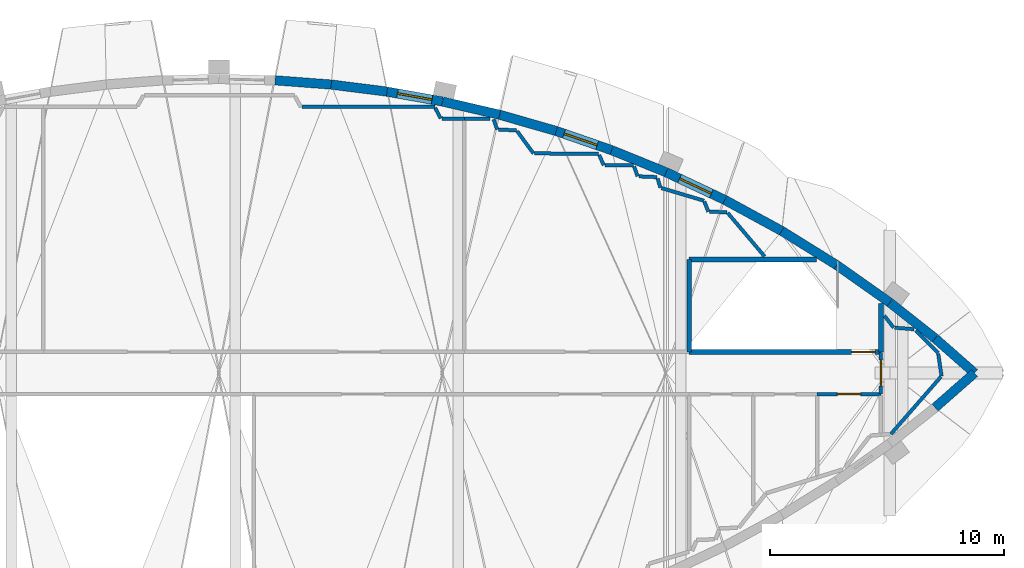
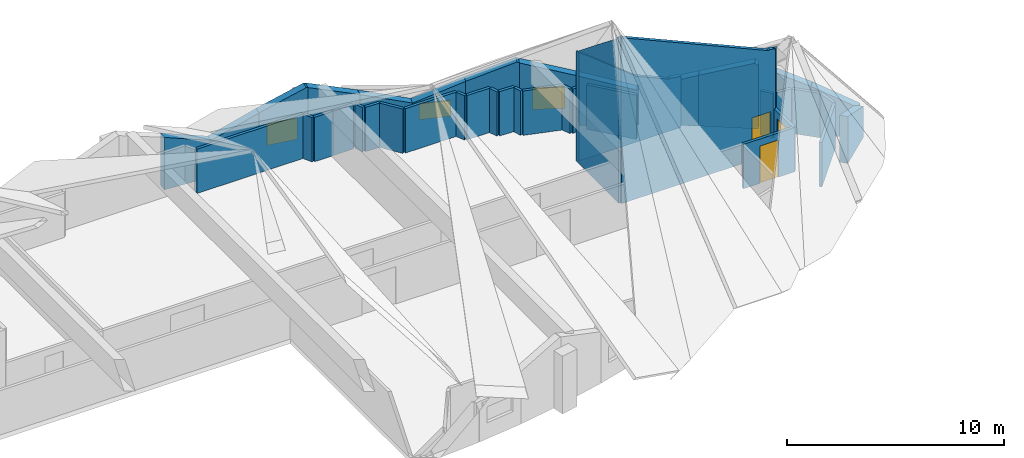
# One storey, part 48 of 56: 42 walls, 3 doors, 3 windows, 6 openings.
"""IFC4 building model written with IfcOpenShell, lengths in metres."""

from ifc_helpers import new_model, si_unit, direction, frame, frame_2d, origin, place, context, subcontext, project, spatial, polyline, rectangle, outline, extrude, material, layer, layer_set, type_object, element, fill, save


model = new_model("IFC4")

# Units and contexts
model_context = context("Model", 3, precision=1e-05, world=origin(), true_north=direction((0.0, 1.0)))
body_context = subcontext(model_context, "Body", "Model", "MODEL_VIEW")
ifc_project = project(units=[si_unit("LENGTHUNIT", "METRE"), si_unit("AREAUNIT", "SQUARE_METRE"), si_unit("VOLUMEUNIT", "CUBIC_METRE"), si_unit("PLANEANGLEUNIT", "RADIAN"), si_unit("MASSUNIT", "GRAM", prefix="KILO")], contexts=[model_context])

# Site, building, storey
site_placement = place(None, origin())
site = spatial("IfcSite", under=ifc_project, at=site_placement, CompositionType="ELEMENT")
building_placement = place(site_placement, origin())
building = spatial("IfcBuilding", under=site, at=building_placement, Name="Tide Square Theatres", CompositionType="ELEMENT")
storey_placement = place(building_placement, frame((0.0, 0.0, 10.199951171875)))
storey = spatial("IfcBuildingStorey", under=building, at=storey_placement, Name="L02", CompositionType="ELEMENT", Elevation=10.199951171875)

# Walls
ifc_material_1 = material(Name="Gypsum board on steel studs", Category="steel")
ifc_layer_1 = layer(ifc_material_1, 0.14990234375)
ifc_layer_set_1 = layer_set([ifc_layer_1], Name="Gypsum board on steel studs")
wall_type_1 = type_object("IfcWallType", Name="Partition 150 thick", PredefinedType="PARTITIONING", material=ifc_layer_set_1)
wall_1_placement = place(storey_placement, frame((133.55908203125, 109.172607421875, 0.0), z_axis=(0.0, 0.0, 1.0), x_axis=(0.999999976836, -0.00021523891, 0.0)))
element("IfcWall", 1, at=wall_1_placement, inside=storey, type_object=wall_type_1, Name="Rehearsal Block partition", PredefinedType="PARTITIONING", context=body_context, shape_type="SweptSolid", body=[
    extrude(rectangle(XDim=5.67138671875, YDim=0.14990234375, at=frame_2d((2.835693359375, 0.0))), origin(), (0.0, 0.0, 1.0), 2.5),
])
wall_2_placement = place(storey_placement, frame((139.253173828125, 109.126708984375, 0.0), z_axis=(0.0, 0.0, 1.0), x_axis=(0.450699478725, -0.892675741732, 0.0)))
element("IfcWall", 2, at=wall_2_placement, inside=storey, type_object=wall_type_1, Name="Rehearsal Block partition", PredefinedType="PARTITIONING", context=body_context, shape_type="SweptSolid", body=[
    extrude(rectangle(XDim=0.503662109375, YDim=0.14990234375, at=frame_2d((0.251953125, 0.0))), origin(), (0.0, 0.0, 1.0), 2.5),
])
wall_3_placement = place(storey_placement, frame((139.530029296875, 108.6767578125, 0.0), z_axis=(0.0, 0.0, 1.0), x_axis=(0.999996832397, -0.002516981708, 0.0)))
element("IfcWall", 3, at=wall_3_placement, inside=storey, type_object=wall_type_1, Name="Rehearsal Block partition", PredefinedType="PARTITIONING", context=body_context, shape_type="SweptSolid", body=[
    extrude(rectangle(XDim=0.969970703125, YDim=0.14990234375, at=frame_2d((0.48486328125, 0.0))), origin(), (0.0, 0.0, 1.0), 2.5),
])
wall_4_placement = place(storey_placement, frame((140.5, 108.67431640625, 0.0), z_axis=(0.0, 0.0, 1.0), x_axis=(0.999996961255, -0.002465254723, 0.0)))
element("IfcWall", 4, at=wall_4_placement, inside=storey, type_object=wall_type_1, Name="Rehearsal Block partition", PredefinedType="PARTITIONING", context=body_context, shape_type="SweptSolid", body=[
    extrude(rectangle(XDim=1.08935546875, YDim=0.14990234375, at=frame_2d((0.544677734375, 0.0))), origin(), (0.0, 0.0, 1.0), 2.5),
])
wall_5_placement = place(storey_placement, frame((141.745361328125, 108.64013671875, 0.0), z_axis=(0.0, 0.0, 1.0), x_axis=(0.332903434189, -0.942960923636, 0.0)))
element("IfcWall", 5, at=wall_5_placement, inside=storey, type_object=wall_type_1, Name="Rehearsal Block partition", PredefinedType="PARTITIONING", context=body_context, shape_type="SweptSolid", body=[
    extrude(rectangle(XDim=0.459716796875, YDim=0.14990234375, at=frame_2d((0.22998046875, 0.0))), origin(), (0.0, 0.0, 1.0), 2.5),
])
wall_6_placement = place(storey_placement, frame((141.95849609375, 108.203857421875, 0.0), z_axis=(0.0, 0.0, 1.0), x_axis=(0.999053760894, -0.043492330868, 0.0)))
element("IfcWall", 6, at=wall_6_placement, inside=storey, type_object=wall_type_1, Name="Rehearsal Block partition", PredefinedType="PARTITIONING", context=body_context, shape_type="SweptSolid", body=[
    extrude(rectangle(XDim=0.76904296875, YDim=0.14990234375, at=frame_2d((0.384521484375, 0.0))), origin(), (0.0, 0.0, 1.0), 2.5),
])
wall_7_placement = place(storey_placement, frame((142.75048828125, 108.13818359375, 0.0), z_axis=(0.0, 0.0, 1.0), x_axis=(0.589326837147, -0.807894720257, 0.0)))
element("IfcWall", 7, at=wall_7_placement, inside=storey, type_object=wall_type_1, Name="Rehearsal Block partition", PredefinedType="PARTITIONING", context=body_context, shape_type="SweptSolid", body=[
    extrude(rectangle(XDim=1.1806640625, YDim=0.14990234375, at=frame_2d((0.59033203125, 0.0))), origin(), (0.0, 0.0, 1.0), 2.5),
])
wall_8_placement = place(storey_placement, frame((143.496337890625, 107.18408203125, 0.0), z_axis=(0.0, 0.0, 1.0), x_axis=(0.99998881359, -0.004729978324, 0.0)))
element("IfcWall", 8, at=wall_8_placement, inside=storey, type_object=wall_type_1, Name="Rehearsal Block partition", PredefinedType="PARTITIONING", context=body_context, shape_type="SweptSolid", body=[
    extrude(rectangle(XDim=2.735595703125, YDim=0.14990234375, at=frame_2d((1.36767578125, 0.0))), origin(), (0.0, 0.0, 1.0), 2.5),
])
wall_9_placement = place(storey_placement, frame((146.256591796875, 107.11669921875, 0.0), z_axis=(0.0, 0.0, 1.0), x_axis=(0.41147647075, -0.91142038271, 0.0)))
element("IfcWall", 9, at=wall_9_placement, inside=storey, type_object=wall_type_1, Name="Rehearsal Block partition", PredefinedType="PARTITIONING", context=body_context, shape_type="SweptSolid", body=[
    extrude(rectangle(XDim=0.474609375, YDim=0.14990234375, at=frame_2d((0.2373046875, 0.0))), origin(), (0.0, 0.0, 1.0), 2.5),
])
wall_10_placement = place(storey_placement, frame((146.501953125, 106.68359375, 0.0), z_axis=(0.0, 0.0, 1.0), x_axis=(0.99994878605, -0.010120537426, 0.0)))
element("IfcWall", 10, at=wall_10_placement, inside=storey, type_object=wall_type_1, Name="Rehearsal Block partition", PredefinedType="PARTITIONING", context=body_context, shape_type="SweptSolid", body=[
    extrude(rectangle(XDim=1.230224609375, YDim=0.14990234375, at=frame_2d((0.615234375, 0.0))), origin(), (0.0, 0.0, 1.0), 2.5),
])
wall_11_placement = place(storey_placement, frame((147.751220703125, 106.623046875, 0.0), z_axis=(0.0, 0.0, 1.0), x_axis=(0.333253707731, -0.942837189701, 0.0)))
element("IfcWall", 11, at=wall_11_placement, inside=storey, type_object=wall_type_1, Name="Rehearsal Block partition", PredefinedType="PARTITIONING", context=body_context, shape_type="SweptSolid", body=[
    extrude(rectangle(XDim=0.441650390625, YDim=0.14990234375, at=frame_2d((0.220703125, 0.0))), origin(), (0.0, 0.0, 1.0), 2.5),
])
wall_12_placement = place(storey_placement, frame((147.95849609375, 106.203857421875, 0.0), z_axis=(0.0, 0.0, 1.0), x_axis=(0.999062069373, -0.043301057027, 0.0)))
element("IfcWall", 12, at=wall_12_placement, inside=storey, type_object=wall_type_1, Name="Rehearsal Block partition", PredefinedType="PARTITIONING", context=body_context, shape_type="SweptSolid", body=[
    extrude(rectangle(XDim=0.778076171875, YDim=0.14990234375, at=frame_2d((0.38916015625, 0.0))), origin(), (0.0, 0.0, 1.0), 2.5),
])
wall_13_placement = place(storey_placement, frame((148.75341796875, 106.11279296875, 0.0), z_axis=(0.0, 0.0, 1.0), x_axis=(0.293755554764, -0.9558805752, 0.0)))
element("IfcWall", 13, at=wall_13_placement, inside=storey, type_object=wall_type_1, Name="Rehearsal Block partition", PredefinedType="PARTITIONING", context=body_context, shape_type="SweptSolid", body=[
    extrude(rectangle(XDim=0.41552734375, YDim=0.14990234375, at=frame_2d((0.207763671875, 0.0))), origin(), (0.0, 0.0, 1.0), 2.5),
])
wall_14_placement = place(storey_placement, frame((148.923583984375, 105.701416015625, 0.0), z_axis=(0.0, 0.0, 1.0), x_axis=(0.958777261615, -0.284158692652, 0.0)))
element("IfcWall", 14, at=wall_14_placement, inside=storey, type_object=wall_type_1, Name="Rehearsal Block partition", PredefinedType="PARTITIONING", context=body_context, shape_type="SweptSolid", body=[
    extrude(rectangle(XDim=1.89013671875, YDim=0.14990234375, at=frame_2d((0.945068359375, 0.0))), origin(), (0.0, 0.0, 1.0), 2.5),
])
wall_15_placement = place(storey_placement, frame((150.750732421875, 105.127197265625, 0.0), z_axis=(0.0, 0.0, 1.0), x_axis=(0.372292022066, -0.928115644899, 0.0)))
element("IfcWall", 15, at=wall_15_placement, inside=storey, type_object=wall_type_1, Name="Rehearsal Block partition", PredefinedType="PARTITIONING", context=body_context, shape_type="SweptSolid", body=[
    extrude(rectangle(XDim=0.466796875, YDim=0.14990234375, at=frame_2d((0.2333984375, 0.0))), origin(), (0.0, 0.0, 1.0), 2.5),
])
wall_16_placement = place(storey_placement, frame((150.974609375, 104.6923828125, 0.0), z_axis=(0.0, 0.0, 1.0), x_axis=(0.999590227111, -0.028624777086, 0.0)))
element("IfcWall", 16, at=wall_16_placement, inside=storey, type_object=wall_type_1, Name="Rehearsal Block partition", PredefinedType="PARTITIONING", context=body_context, shape_type="SweptSolid", body=[
    extrude(rectangle(XDim=0.75048828125, YDim=0.14990234375, at=frame_2d((0.375244140625, 0.0))), origin(), (0.0, 0.0, 1.0), 2.5),
])
wall_17_placement = place(storey_placement, frame((151.750732421875, 104.640380859375, 0.0), z_axis=(0.0, 0.0, 1.0), x_axis=(0.646468254161, -0.762940886545, 0.0)))
element("IfcWall", 17, at=wall_17_placement, inside=storey, type_object=wall_type_1, Name="Rehearsal Block partition", PredefinedType="PARTITIONING", context=body_context, shape_type="SweptSolid", body=[
    extrude(rectangle(XDim=2.43359375, YDim=0.14990234375, at=frame_2d((1.216796875, 0.0))), origin(), (0.0, 0.0, 1.0), 2.5),
])

# Wall, opening, door
wall_18_placement = place(storey_placement, frame((158.300048828125, 96.89990234375, 0.0), z_axis=(0.0, 0.0, 1.0), x_axis=(-1.0, 0.0, 0.0)))
wall_18 = element("IfcWall", 18, at=wall_18_placement, inside=storey, type_object=wall_type_1, Name="Rehearsal Block partition", PredefinedType="PARTITIONING", context=body_context, shape_type="SweptSolid", body=[
    extrude(rectangle(XDim=2.7333984375, YDim=0.14990234375, at=frame_2d((1.36669921875, 0.0))), origin(), (0.0, 0.0, 1.0), 2.5),
])
opening_1_placement = place(wall_18_placement, frame((0.86669921875, 0.0, 0.0)))
opening_1 = element("IfcOpeningElement", 19, at=opening_1_placement, cuts=wall_18, Name="Opening R2-06", PredefinedType="OPENING", context=body_context, shape_type="SweptSolid", body=[
    extrude(rectangle(XDim=1.0, YDim=2.10009765625, at=frame_2d((0.5, 1.050048828125))), frame((0.0, 0.0849609375, 0.0), z_axis=(0.0, -1.0, 0.0), x_axis=(1.0, 0.0, 0.0)), (0.0, 0.0, 1.0), 0.169921875),
])
ifc_material_2 = material(Name="Hardwood timber", Category="wood")
door_type_1 = type_object("IfcDoorType", Name="Door 1000 x 2100 single leaf", OperationType="NOTDEFINED", PredefinedType="DOOR", material=ifc_material_2)
door_1_placement = place(opening_1_placement, origin())
door_1 = element("IfcDoor", 20, at=door_1_placement, inside=storey, type_object=door_type_1, Name="Rehearsal Block door R2-06 to Accessible WC E", OperationType="SINGLE_SWING_RIGHT", OverallHeight=2.10009765625, OverallWidth=1.0, PredefinedType="DOOR", context=body_context, shape_type="SweptSolid", body=[
    extrude(rectangle(XDim=1.0, YDim=2.10009765625, at=frame_2d((0.5, 1.050048828125))), frame((0.0, 0.02490234375, 0.0), z_axis=(0.0, -1.0, 0.0), x_axis=(1.0, 0.0, 0.0)), (0.0, 0.0, 1.0), 0.050048828125),
])
fill(opening_1, door_1)

# Walls
wall_19_placement = place(storey_placement, frame((159.7802734375, 99.613525390625, 0.0), z_axis=(0.0, 0.0, 1.0), x_axis=(0.707106781187, -0.707106781187, 0.0)))
element("IfcWall", 21, at=wall_19_placement, inside=storey, type_object=wall_type_1, Name="Rehearsal Block partition", PredefinedType="PARTITIONING", context=body_context, shape_type="SweptSolid", body=[
    extrude(rectangle(XDim=1.362060546875, YDim=0.14990234375, at=frame_2d((0.68115234375, 0.0))), origin(), (0.0, 0.0, 1.0), 2.5),
])
wall_20_placement = place(storey_placement, frame((160.747802734375, 98.62060546875, 0.0), z_axis=(0.0, 0.0, 1.0), x_axis=(0.146925710548, -0.989147529735, 0.0)))
element("IfcWall", 22, at=wall_20_placement, inside=storey, type_object=wall_type_1, Name="Rehearsal Block partition", PredefinedType="PARTITIONING", context=body_context, shape_type="SweptSolid", body=[
    extrude(rectangle(XDim=0.962158203125, YDim=0.14990234375, at=frame_2d((0.48095703125, 0.0))), origin(), (0.0, 0.0, 1.0), 2.5),
])
wall_21_placement = place(storey_placement, frame((160.86279296875, 97.638916015625, 0.0), z_axis=(0.0, 0.0, 1.0), x_axis=(-0.658009618923, -0.753009522785, 0.0)))
element("IfcWall", 23, at=wall_21_placement, inside=storey, type_object=wall_type_1, Name="Rehearsal Block partition", PredefinedType="PARTITIONING", context=body_context, shape_type="SweptSolid", body=[
    extrude(rectangle(XDim=3.248291015625, YDim=0.14990234375, at=frame_2d((1.6240234375, 0.0))), origin(), (0.0, 0.0, 1.0), 2.5),
])

# Wall, opening, door
wall_22_placement = place(storey_placement, frame((158.300048828125, 98.669921875, 0.0), z_axis=(0.0, 0.0, 1.0), x_axis=(0.0, -1.0, 0.0)))
wall_22 = element("IfcWall", 24, at=wall_22_placement, inside=storey, type_object=wall_type_1, Name="Rehearsal Block partition", PredefinedType="PARTITIONING", context=body_context, shape_type="SweptSolid", body=[
    extrude(rectangle(XDim=1.77001953125, YDim=0.14990234375, at=frame_2d((0.885009765625, 0.0))), origin(), (0.0, 0.0, 1.0), 2.5),
])
opening_2_placement = place(wall_22_placement, frame((0.320068359375, 0.0, 0.0)))
opening_2 = element("IfcOpeningElement", 25, at=opening_2_placement, cuts=wall_22, Name="Opening R2-08", PredefinedType="OPENING", context=body_context, shape_type="SweptSolid", body=[
    extrude(rectangle(XDim=1.10009765625, YDim=2.10009765625, at=frame_2d((0.550048828125, 1.050048828125))), frame((0.0, 0.0849609375, 0.0), z_axis=(0.0, -1.0, 0.0), x_axis=(1.0, 0.0, 0.0)), (0.0, 0.0, 1.0), 0.169921875),
])
ifc_material_3 = material(Name="Painted steel", Category="steel")
door_type_2 = type_object("IfcDoorType", Name="Door 1100 x 2100 single leaf", OperationType="NOTDEFINED", PredefinedType="DOOR", material=ifc_material_3)
door_2_placement = place(opening_2_placement, origin())
door_2 = element("IfcDoor", 26, at=door_2_placement, inside=storey, type_object=door_type_2, Name="Rehearsal Block door R2-08 to Plant Room E", OperationType="SINGLE_SWING_RIGHT", OverallHeight=2.10009765625, OverallWidth=1.10009765625, PredefinedType="DOOR", context=body_context, shape_type="SweptSolid", body=[
    extrude(rectangle(XDim=1.10009765625, YDim=2.10009765625, at=frame_2d((0.550048828125, 1.050048828125))), frame((0.0, 0.02490234375, 0.0), z_axis=(0.0, -1.0, 0.0), x_axis=(1.0, 0.0, 0.0)), (0.0, 0.0, 1.0), 0.050048828125),
])
fill(opening_2, door_2)

# Walls
wall_23_placement = place(storey_placement, frame((158.44677734375, 100.2451171875, 0.0), z_axis=(0.0, 0.0, 1.0), x_axis=(0.614125450495, -0.789208420542, 0.0)))
element("IfcWall", 27, at=wall_23_placement, inside=storey, type_object=wall_type_1, Name="Rehearsal Block partition", PredefinedType="PARTITIONING", context=body_context, shape_type="SweptSolid", body=[
    extrude(rectangle(XDim=0.64013671875, YDim=0.14990234375, at=frame_2d((0.320068359375, 0.0))), origin(), (0.0, 0.0, 1.0), 2.5),
])
wall_24_placement = place(storey_placement, frame((158.8896484375, 99.736083984375, 0.0), z_axis=(0.0, 0.0, 1.0), x_axis=(0.996876817873, -0.078972210225, 0.0)))
element("IfcWall", 28, at=wall_24_placement, inside=storey, type_object=wall_type_1, Name="Rehearsal Block partition", PredefinedType="PARTITIONING", context=body_context, shape_type="SweptSolid", body=[
    extrude(rectangle(XDim=0.82861328125, YDim=0.14990234375, at=frame_2d((0.414306640625, 0.0))), origin(), (0.0, 0.0, 1.0), 2.5),
])
ifc_material_4 = material(Name="Concrete C40", Category="concrete")
ifc_layer_2 = layer(ifc_material_4, 0.39990234375)
ifc_layer_set_2 = layer_set([ifc_layer_2], Name="Concrete C40")
wall_type_2 = type_object("IfcWallType", Name="RC curved wall 400 thick", PredefinedType="SOLIDWALL", material=ifc_layer_set_2)
wall_25_placement = place(storey_placement, frame((160.61279296875, 96.3203125, 0.0), z_axis=(0.0, 0.0, 1.0), x_axis=(0.751212351098, 0.660060605973, 0.0)))
element("IfcWall", 29, at=wall_25_placement, inside=storey, type_object=wall_type_2, Name="Rehearsal Block perimeter wall 027", PredefinedType="SOLIDWALL", context=body_context, shape_type="SweptSolid", body=[
    extrude(outline(polyline([(0.0, 0.0), (2.24169921875, 0.0), (2.241943359375, 1.7509765625), (2.158935546875, 1.784423828125), (2.09716796875, 1.80908203125), (1.869384765625, 1.900634765625), (0.0, 2.647216796875), (0.0, 0.0)])), frame((0.0, 0.199951171875, 0.0), z_axis=(0.0, -1.0, 0.0), x_axis=(1.0, 0.0, 0.0)), (0.0, 0.0, 1.0), 0.39990234375),
])
wall_26_placement = place(storey_placement, frame((162.296875, 97.800048828125, 0.0), z_axis=(0.0, 0.0, 1.0), x_axis=(-0.751212351098, 0.660060605973, 0.0)))
element("IfcWall", 30, at=wall_26_placement, inside=storey, type_object=wall_type_2, Name="Rehearsal Block perimeter wall 028", PredefinedType="SOLIDWALL", context=body_context, shape_type="SweptSolid", body=[
    extrude(outline(polyline([(0.0, 0.0), (2.24169921875, 0.0), (2.241943359375, 2.647216796875), (2.2021484375, 2.635009765625), (0.372314453125, 1.900634765625), (0.144775390625, 1.80908203125), (0.0830078125, 1.7841796875), (0.0, 1.7509765625), (0.0, 0.0)])), frame((0.0, 0.199951171875, 0.0), z_axis=(0.0, -1.0, 0.0), x_axis=(1.0, 0.0, 0.0)), (0.0, 0.0, 1.0), 0.39990234375),
])
wall_27_placement = place(storey_placement, frame((160.61279296875, 99.27978515625, 0.0), z_axis=(0.0, 0.0, 1.0), x_axis=(-0.784278812541, 0.620408530082, 0.0)))
element("IfcWall", 31, at=wall_27_placement, inside=storey, type_object=wall_type_2, Name="Rehearsal Block perimeter wall 029", PredefinedType="SOLIDWALL", context=body_context, shape_type="SweptSolid", body=[
    extrude(outline(polyline([(0.0, 0.0), (2.464111328125, 0.0), (2.464111328125, 3.550537109375), (2.44580078125, 3.5439453125), (2.28759765625, 3.486083984375), (2.12939453125, 3.428466796875), (0.05078125, 2.669189453125), (0.0, 2.650634765625), (0.0, 0.0)])), frame((0.0, 0.199951171875, 0.0), z_axis=(0.0, -1.0, 0.0), x_axis=(1.0, 0.0, 0.0)), (0.0, 0.0, 1.0), 0.39990234375),
])
wall_28_placement = place(storey_placement, frame((158.68017578125, 100.80859375, 0.0), z_axis=(0.0, 0.0, 1.0), x_axis=(-0.817070367038, 0.57653795652, 0.0)))
element("IfcWall", 32, at=wall_28_placement, inside=storey, type_object=wall_type_2, Name="Rehearsal Block perimeter wall 030", PredefinedType="SOLIDWALL", context=body_context, shape_type="SweptSolid", body=[
    extrude(outline(polyline([(0.0, 0.0), (2.77197265625, 0.0), (2.772216796875, 2.848388671875), (2.405517578125, 2.967529296875), (0.310546875, 3.6474609375), (0.16943359375, 3.693359375), (0.0, 3.554931640625), (0.0, 0.0)])), frame((0.0, 0.199951171875, 0.0), z_axis=(0.0, -1.0, 0.0), x_axis=(1.0, 0.0, 0.0)), (0.0, 0.0, 1.0), 0.39990234375),
])
wall_29_placement = place(storey_placement, frame((156.415283203125, 102.40673828125, 0.0), z_axis=(0.0, 0.0, 1.0), x_axis=(-0.84912946359, 0.528184772653, 0.0)))
element("IfcWall", 33, at=wall_29_placement, inside=storey, type_object=wall_type_2, Name="Rehearsal Block perimeter wall 031", PredefinedType="SOLIDWALL", context=body_context, shape_type="SweptSolid", body=[
    extrude(outline(polyline([(0.0, 0.0), (2.77197265625, 0.0), (2.771728515625, 1.969970703125), (2.24658203125, 2.140380859375), (0.32080078125, 2.75732421875), (0.0, 2.844970703125), (0.0, 0.0)])), frame((0.0, 0.199951171875, 0.0), z_axis=(0.0, -1.0, 0.0), x_axis=(1.0, 0.0, 0.0)), (0.0, 0.0, 1.0), 0.39990234375),
])
wall_30_placement = place(storey_placement, frame((154.0615234375, 103.870849609375, 0.0), z_axis=(0.0, 0.0, 1.0), x_axis=(-0.878255502871, 0.478191668347, 0.0)))
element("IfcWall", 34, at=wall_30_placement, inside=storey, type_object=wall_type_2, Name="Rehearsal Block perimeter wall 032", PredefinedType="SOLIDWALL", context=body_context, shape_type="SweptSolid", body=[
    extrude(outline(polyline([(0.0, 0.0), (2.771728515625, 0.0), (2.771728515625, 2.78271484375), (2.737060546875, 2.771484375), (0.0810546875, 1.94384765625), (0.0, 1.96630859375), (0.0, 0.0)])), frame((0.0, 0.199951171875, 0.0), z_axis=(0.0, -1.0, 0.0), x_axis=(1.0, 0.0, 0.0)), (0.0, 0.0, 1.0), 0.39990234375),
])

# Wall, opening, window
wall_31_placement = place(storey_placement, frame((151.627197265625, 105.1962890625, 0.0), z_axis=(0.0, 0.0, 1.0), x_axis=(-0.904561064695, 0.42634408667, 0.0)))
wall_31 = element("IfcWall", 35, at=wall_31_placement, inside=storey, type_object=wall_type_2, Name="Rehearsal Block perimeter wall 033", PredefinedType="SOLIDWALL", context=body_context, shape_type="SweptSolid", body=[
    extrude(outline(polyline([(0.0, 0.0), (2.772216796875, 0.0), (2.772216796875, 3.692138671875), (2.75048828125, 3.685302734375), (2.65625, 3.654541015625), (2.56201171875, 3.6240234375), (0.0, 2.786865234375), (0.0, 0.0)])), frame((0.0, 0.199951171875, 0.0), z_axis=(0.0, -1.0, 0.0), x_axis=(1.0, 0.0, 0.0)), (0.0, 0.0, 1.0), 0.39990234375),
])
opening_3_placement = place(wall_31_placement, frame((0.635986328125, 0.0, 0.89990234375)))
opening_3 = element("IfcOpeningElement", 36, at=opening_3_placement, cuts=wall_31, Name="Opening WN-03", PredefinedType="OPENING", context=body_context, shape_type="SweptSolid", body=[
    extrude(rectangle(XDim=1.5, YDim=1.199951171875, at=frame_2d((0.75, 0.60009765625))), frame((0.0, 0.2099609375, 0.0), z_axis=(0.0, -1.0, 0.0), x_axis=(1.0, 0.0, 0.0)), (0.0, 0.0, 1.0), 0.419921875),
])
ifc_material_5 = material(Name="Aluminium with laminated glass", Category="aluminium")
window_type_1 = type_object("IfcWindowType", Name="Window 1500 x 1200", PartitioningType="SINGLE_PANEL", PredefinedType="WINDOW", material=ifc_material_5)
window_1_placement = place(opening_3_placement, origin())
window_1 = element("IfcWindow", 37, at=window_1_placement, inside=storey, type_object=window_type_1, Name="Rehearsal Block window L02-95", OverallHeight=1.199951171875, OverallWidth=1.5, PartitioningType="SINGLE_PANEL", PredefinedType="WINDOW", context=body_context, shape_type="SweptSolid", body=[
    extrude(rectangle(XDim=1.5, YDim=1.199951171875, at=frame_2d((0.75, 0.60009765625))), frame((0.0, 0.030029296875, 0.0), z_axis=(0.0, -1.0, 0.0), x_axis=(1.0, 0.0, 0.0)), (0.0, 0.0, 1.0), 0.06005859375),
])
fill(opening_3, window_1)

# Wall
wall_32_placement = place(storey_placement, frame((149.11962890625, 106.378173828125, 0.0), z_axis=(0.0, 0.0, 1.0), x_axis=(-0.926688932252, 0.375829246921, 0.0)))
element("IfcWall", 38, at=wall_32_placement, inside=storey, type_object=wall_type_2, Name="Rehearsal Block perimeter wall 034", PredefinedType="SOLIDWALL", context=body_context, shape_type="SweptSolid", body=[
    extrude(outline(polyline([(0.0, 0.0), (2.5107421875, 0.0), (2.5107421875, 2.895751953125), (2.36669921875, 2.947265625), (0.194091796875, 3.72607421875), (0.113037109375, 3.755126953125), (0.0, 3.696044921875), (0.0, 0.0)])), frame((0.0, 0.199951171875, 0.0), z_axis=(0.0, -1.0, 0.0), x_axis=(1.0, 0.0, 0.0)), (0.0, 0.0, 1.0), 0.39990234375),
])

# Wall, opening, window
wall_33_placement = place(storey_placement, frame((146.79296875, 107.32177734375, 0.0), z_axis=(0.0, 0.0, 1.0), x_axis=(-0.945175475032, 0.326562890417, 0.0)))
wall_33 = element("IfcWall", 39, at=wall_33_placement, inside=storey, type_object=wall_type_2, Name="Rehearsal Block perimeter wall 035", PredefinedType="SOLIDWALL", context=body_context, shape_type="SweptSolid", body=[
    extrude(outline(polyline([(0.0, 0.0), (2.51123046875, 0.0), (2.510986328125, 2.003662109375), (2.3212890625, 2.06591796875), (0.12890625, 2.851806640625), (0.0, 2.89208984375), (0.0, 0.0)])), frame((0.0, 0.199951171875, 0.0), z_axis=(0.0, -1.0, 0.0), x_axis=(1.0, 0.0, 0.0)), (0.0, 0.0, 1.0), 0.39990234375),
])
opening_4_placement = place(wall_33_placement, frame((0.655517578125, 0.0, 0.89990234375)))
opening_4 = element("IfcOpeningElement", 40, at=opening_4_placement, cuts=wall_33, Name="Opening WN-04", PredefinedType="OPENING", context=body_context, shape_type="SweptSolid", body=[
    extrude(rectangle(XDim=1.5, YDim=0.89990234375, at=frame_2d((0.75, 0.449951171875))), frame((0.0, 0.2099609375, 0.0), z_axis=(0.0, -1.0, 0.0), x_axis=(1.0, 0.0, 0.0)), (0.0, 0.0, 1.0), 0.419921875),
])
ifc_material_6 = material(Name="Aluminium with laminated glass", Category="aluminium")
window_type_2 = type_object("IfcWindowType", Name="Window 1500 x 900", PartitioningType="SINGLE_PANEL", PredefinedType="WINDOW", material=ifc_material_6)
window_2_placement = place(opening_4_placement, origin())
window_2 = element("IfcWindow", 41, at=window_2_placement, inside=storey, type_object=window_type_2, Name="Rehearsal Block window L02-96", OverallHeight=0.89990234375, OverallWidth=1.5, PartitioningType="SINGLE_PANEL", PredefinedType="WINDOW", context=body_context, shape_type="SweptSolid", body=[
    extrude(rectangle(XDim=1.5, YDim=0.89990234375, at=frame_2d((0.75, 0.449951171875))), frame((0.0, 0.030029296875, 0.0), z_axis=(0.0, -1.0, 0.0), x_axis=(1.0, 0.0, 0.0)), (0.0, 0.0, 1.0), 0.06005859375),
])
fill(opening_4, window_2)

# Walls
wall_34_placement = place(storey_placement, frame((144.41943359375, 108.141845703125, 0.0), z_axis=(0.0, 0.0, 1.0), x_axis=(-0.961008605775, 0.276518461637, 0.0)))
element("IfcWall", 42, at=wall_34_placement, inside=storey, type_object=wall_type_2, Name="Rehearsal Block perimeter wall 036", PredefinedType="SOLIDWALL", context=body_context, shape_type="SweptSolid", body=[
    extrude(outline(polyline([(0.0, 0.0), (2.510986328125, 0.0), (2.510986328125, 2.9072265625), (2.498779296875, 2.90283203125), (0.0, 2.00732421875), (0.0, 0.0)])), frame((0.0, 0.199951171875, 0.0), z_axis=(0.0, -1.0, 0.0), x_axis=(1.0, 0.0, 0.0)), (0.0, 0.0, 1.0), 0.39990234375),
])
wall_35_placement = place(storey_placement, frame((142.00634765625, 108.836181640625, 0.0), z_axis=(0.0, 0.0, 1.0), x_axis=(-0.974189274843, 0.225732710925, 0.0)))
element("IfcWall", 43, at=wall_35_placement, inside=storey, type_object=wall_type_2, Name="Rehearsal Block perimeter wall 037", PredefinedType="SOLIDWALL", context=body_context, shape_type="SweptSolid", body=[
    extrude(outline(polyline([(0.0, 0.0), (2.511474609375, 0.0), (2.51123046875, 3.8134765625), (2.4716796875, 3.79931640625), (2.37890625, 3.76611328125), (0.0, 2.9111328125), (0.0, 0.0)])), frame((0.0, 0.199951171875, 0.0), z_axis=(0.0, -1.0, 0.0), x_axis=(1.0, 0.0, 0.0)), (0.0, 0.0, 1.0), 0.39990234375),
])

# Wall, opening, window
wall_36_placement = place(storey_placement, frame((139.559814453125, 109.403076171875, 0.0), z_axis=(0.0, 0.0, 1.0), x_axis=(-0.984524011381, 0.175249738987, 0.0)))
wall_36 = element("IfcWall", 44, at=wall_36_placement, inside=storey, type_object=wall_type_2, Name="Rehearsal Block perimeter wall 038", PredefinedType="SOLIDWALL", context=body_context, shape_type="SweptSolid", body=[
    extrude(outline(polyline([(0.0, 0.0), (2.406005859375, 0.0), (2.406005859375, 2.958740234375), (2.328125, 2.988037109375), (0.0849609375, 3.8271484375), (0.0, 3.8173828125), (0.0, 0.0)])), frame((0.0, 0.199951171875, 0.0), z_axis=(0.0, -1.0, 0.0), x_axis=(1.0, 0.0, 0.0)), (0.0, 0.0, 1.0), 0.39990234375),
])
opening_5_placement = place(wall_36_placement, frame((0.452880859375, 0.0, 0.89990234375)))
opening_5 = element("IfcOpeningElement", 45, at=opening_5_placement, cuts=wall_36, Name="Opening WN-03", PredefinedType="OPENING", context=body_context, shape_type="SweptSolid", body=[
    extrude(rectangle(XDim=1.5, YDim=1.199951171875, at=frame_2d((0.75, 0.60009765625))), frame((0.0, 0.2099609375, 0.0), z_axis=(0.0, -1.0, 0.0), x_axis=(1.0, 0.0, 0.0)), (0.0, 0.0, 1.0), 0.419921875),
])
window_3_placement = place(opening_5_placement, origin())
window_3 = element("IfcWindow", 46, at=window_3_placement, inside=storey, type_object=window_type_1, Name="Rehearsal Block window L02-97", OverallHeight=1.199951171875, OverallWidth=1.5, PartitioningType="SINGLE_PANEL", PredefinedType="WINDOW", context=body_context, shape_type="SweptSolid", body=[
    extrude(rectangle(XDim=1.5, YDim=1.199951171875, at=frame_2d((0.75, 0.60009765625))), frame((0.0, 0.030029296875, 0.0), z_axis=(0.0, -1.0, 0.0), x_axis=(1.0, 0.0, 0.0)), (0.0, 0.0, 1.0), 0.06005859375),
])
fill(opening_5, window_3)

# Walls
wall_37_placement = place(storey_placement, frame((137.191162109375, 109.82470703125, 0.0), z_axis=(0.0, 0.0, 1.0), x_axis=(-0.99208939311, 0.125533406227, 0.0)))
element("IfcWall", 47, at=wall_37_placement, inside=storey, type_object=wall_type_2, Name="Rehearsal Block perimeter wall 039", PredefinedType="SOLIDWALL", context=body_context, shape_type="SweptSolid", body=[
    extrude(outline(polyline([(0.0, 0.0), (2.40576171875, 0.0), (2.406005859375, 2.05615234375), (2.298095703125, 2.096435546875), (0.06640625, 2.931396484375), (0.0, 2.955322265625), (0.0, 0.0)])), frame((0.0, 0.199951171875, 0.0), z_axis=(0.0, -1.0, 0.0), x_axis=(1.0, 0.0, 0.0)), (0.0, 0.0, 1.0), 0.39990234375),
])
wall_38_placement = place(storey_placement, frame((134.804443359375, 110.126708984375, 0.0), z_axis=(0.0, 0.0, 1.0), x_axis=(-0.997153910364, 0.075392831525, 0.0)))
element("IfcWall", 48, at=wall_38_placement, inside=storey, type_object=wall_type_2, Name="Rehearsal Block perimeter wall 040", PredefinedType="SOLIDWALL", context=body_context, shape_type="SweptSolid", body=[
    extrude(outline(polyline([(0.0, 0.0), (2.406005859375, 0.0), (2.406005859375, 2.955322265625), (2.383056640625, 2.947265625), (0.06103515625, 2.077392578125), (0.0, 2.054443359375), (0.0, 0.0)])), frame((0.0, 0.199951171875, 0.0), z_axis=(0.0, -1.0, 0.0), x_axis=(1.0, 0.0, 0.0)), (0.0, 0.0, 1.0), 0.39990234375),
])
ifc_material_7 = material(Name="Concrete C40", Category="concrete")
ifc_layer_3 = layer(ifc_material_7, 0.199951171875)
ifc_layer_set_3 = layer_set([ifc_layer_3], Name="Concrete C40")
wall_type_3 = type_object("IfcWallType", Name="RC shear wall 200 thick", PredefinedType="SHEAR", material=ifc_layer_set_3)
wall_39_placement = place(storey_placement, frame((158.300048828125, 100.770751953125, 0.0), z_axis=(0.0, 0.0, 1.0), x_axis=(0.0, -1.0, 0.0)))
element("IfcWall", 49, at=wall_39_placement, inside=storey, type_object=wall_type_3, Name="Rehearsal Block stair enclosure wall", PredefinedType="SHEAR", context=body_context, shape_type="SweptSolid", body=[
    extrude(outline(polyline([(0.0, 0.0), (2.07080078125, 0.0), (2.07080078125, 5.912109375), (1.994140625, 5.84228515625), (0.0, 4.028076171875), (0.0, 0.0)])), frame((0.0, 0.10009765625, 0.0), z_axis=(0.0, -1.0, 0.0), x_axis=(1.0, 0.0, 0.0)), (0.0, 0.0, 1.0), 0.199951171875),
])

# Wall, opening, door
wall_40_placement = place(storey_placement, frame((158.300048828125, 98.699951171875, 0.0), z_axis=(0.0, 0.0, 1.0), x_axis=(-1.0, 0.0, 0.0)))
wall_40 = element("IfcWall", 50, at=wall_40_placement, inside=storey, type_object=wall_type_3, Name="Rehearsal Block stair enclosure wall", PredefinedType="SHEAR", context=body_context, shape_type="SweptSolid", body=[
    extrude(outline(polyline([(0.0, 0.0), (8.199951171875, 0.0), (8.199951171875, 9.3466796875), (0.380615234375, 5.881591796875), (0.304443359375, 5.911376953125), (0.228515625, 5.8994140625), (0.062255859375, 5.86083984375), (0.0, 5.845458984375), (0.0, 0.0)])), frame((0.0, 0.10009765625, 0.0), z_axis=(0.0, -1.0, 0.0), x_axis=(1.0, 0.0, 0.0)), (0.0, 0.0, 1.0), 0.199951171875),
])
opening_6_placement = place(wall_40_placement, frame((0.25, 0.0, 0.0)))
opening_6 = element("IfcOpeningElement", 51, at=opening_6_placement, cuts=wall_40, Name="Opening R2-16", PredefinedType="OPENING", context=body_context, shape_type="SweptSolid", body=[
    extrude(rectangle(XDim=1.0, YDim=2.39990234375, at=frame_2d((0.5, 1.199951171875))), frame((0.0, 0.10986328125, 0.0), z_axis=(0.0, -1.0, 0.0), x_axis=(1.0, 0.0, 0.0)), (0.0, 0.0, 1.0), 0.219970703125),
])
ifc_material_8 = material(Name="Hardwood timber", Category="wood")
door_type_3 = type_object("IfcDoorType", Name="Door 1000 x 2400 single leaf", OperationType="NOTDEFINED", PredefinedType="DOOR", material=ifc_material_8)
door_3_placement = place(opening_6_placement, origin())
door_3 = element("IfcDoor", 52, at=door_3_placement, inside=storey, type_object=door_type_3, Name="Rehearsal Block door R2-16 stair door to Stair 2", OperationType="SINGLE_SWING_LEFT", OverallHeight=2.39990234375, OverallWidth=1.0, PredefinedType="DOOR", context=body_context, shape_type="SweptSolid", body=[
    extrude(rectangle(XDim=1.0, YDim=2.39990234375, at=frame_2d((0.5, 1.199951171875))), frame((0.0, 0.02490234375, 0.0), z_axis=(0.0, -1.0, 0.0), x_axis=(1.0, 0.0, 0.0)), (0.0, 0.0, 1.0), 0.050048828125),
])
fill(opening_6, door_3)

# Walls
wall_41_placement = place(storey_placement, frame((150.10009765625, 98.699951171875, 0.0), z_axis=(0.0, 0.0, 1.0), x_axis=(0.0, 1.0, 0.0)))
element("IfcWall", 53, at=wall_41_placement, inside=storey, type_object=wall_type_3, Name="Rehearsal Block stair enclosure wall", PredefinedType="SHEAR", context=body_context, shape_type="SweptSolid", body=[
    extrude(outline(polyline([(0.0, 0.0), (3.949951171875, 0.0), (3.949951171875, 6.1318359375), (2.28662109375, 7.484130859375), (1.991455078125, 7.7138671875), (1.696533203125, 7.94775390625), (0.427001953125, 8.954345703125), (0.30419921875, 9.0810546875), (0.181396484375, 9.214111328125), (0.0, 9.410888671875), (0.0, 0.0)])), frame((0.0, 0.10009765625, 0.0), z_axis=(0.0, -1.0, 0.0), x_axis=(1.0, 0.0, 0.0)), (0.0, 0.0, 1.0), 0.199951171875),
])
wall_42_placement = place(storey_placement, frame((150.10009765625, 102.64990234375, 0.0), z_axis=(0.0, 0.0, 1.0), x_axis=(1.0, 0.0, 0.0)))
element("IfcWall", 54, at=wall_42_placement, inside=storey, type_object=wall_type_3, Name="Rehearsal Block stair enclosure wall", PredefinedType="SHEAR", context=body_context, shape_type="SweptSolid", body=[
    extrude(outline(polyline([(0.0, 0.0), (5.450927734375, 0.0), (5.450927734375, 2.87158203125), (4.966552734375, 2.947509765625), (4.890380859375, 2.959228515625), (4.814453125, 2.9296875), (3.04931640625, 3.7119140625), (2.9677734375, 3.783935546875), (2.886474609375, 3.84912109375), (0.697998046875, 5.602783203125), (0.630126953125, 5.656982421875), (0.0, 6.124755859375), (0.0, 0.0)])), frame((0.0, 0.10009765625, 0.0), z_axis=(0.0, -1.0, 0.0), x_axis=(1.0, 0.0, 0.0)), (0.0, 0.0, 1.0), 0.199951171875),
])

save(model, "model.ifc")
